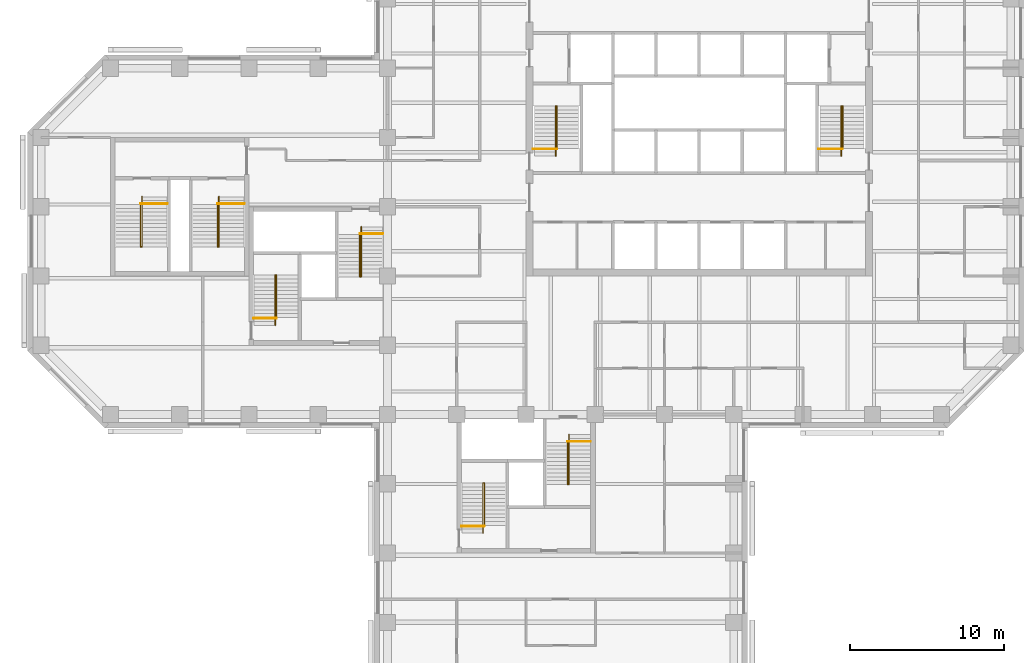
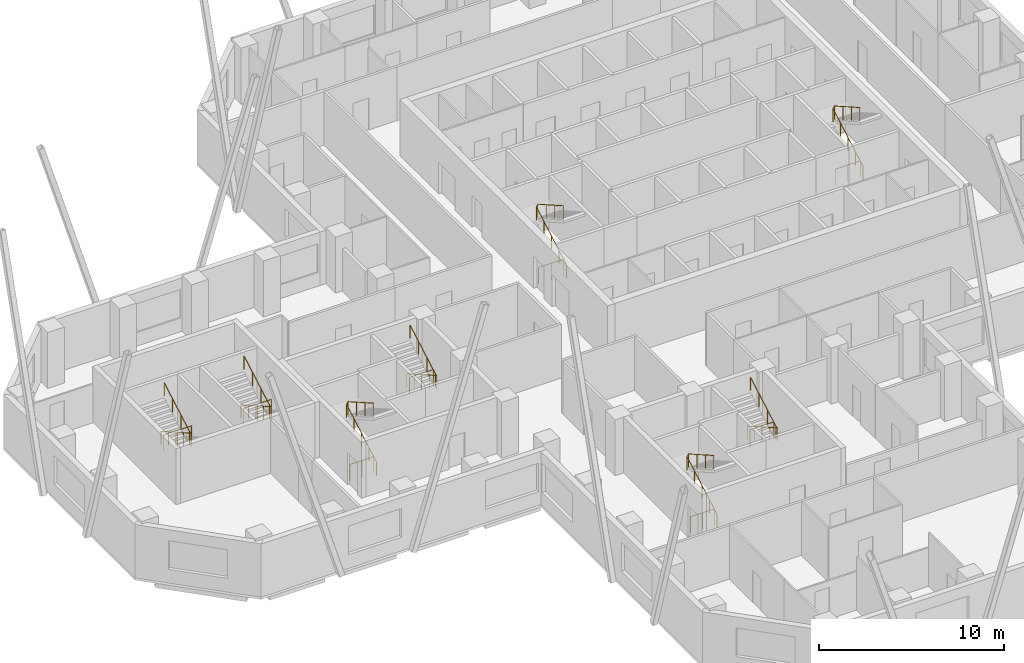
# One storey, part 11 of 11: 16 railings.
"""IFC4 building model written with IfcOpenShell, lengths in metres."""

import ifcopenshell
import ifcopenshell.guid

model = None  # the IFC model being written
_history = None  # IfcOwnerHistory: only IFC2X3 demands one
_inside = {}  # id of a spatial element -> (the spatial element, [elements in it])
_under = {}  # id of a project, library or spatial element -> (it, [spatial elements below it])
_declared = {}  # id of a project -> (the project, [libraries it declares])
_typed = {}  # id of a type object -> (the type object, [elements of that type])
_made_of = {}  # id of a material, layer set ... -> (it, [elements and type objects made of it])


def new_model(schema):
    """Start an empty IFC model of exactly this schema.

    Asked for "IFC4X3", IfcOpenShell would pick the latest addendum, in which some entities
    have other attributes; the version numbers below select the first issue.
    IFC2X3 requires an IfcOwnerHistory on every rooted entity: one is made here for all.
    """
    global model, _history
    if schema == "IFC4X3":
        model = ifcopenshell.file(schema_version=(4, 3, 0, 0))
    else:
        model = ifcopenshell.file(schema=schema)
    _inside.clear()
    _under.clear()
    _declared.clear()
    _typed.clear()
    _made_of.clear()
    _history = None
    if model.schema == "IFC2X3":
        org = make("IfcOrganization", Name="unknown")
        user = make(
            "IfcPersonAndOrganization",
            ThePerson=make("IfcPerson", FamilyName="unknown"),
            TheOrganization=org,
        )
        app = make(
            "IfcApplication",
            ApplicationDeveloper=org,
            Version="unknown",
            ApplicationFullName="unknown",
            ApplicationIdentifier="unknown",
        )
        _history = make(
            "IfcOwnerHistory",
            OwningUser=user,
            OwningApplication=app,
            ChangeAction="ADDED",
            CreationDate=0,
        )
    return model


def make(cls, **values):
    """One entity of the class cls with the attributes given. An attribute that is None is left unset."""
    return model.create_entity(
        cls, **{name: value for name, value in values.items() if value is not None}
    )


def rooted(cls, **values):
    """An entity with a GlobalId (a new one), such as an element, a storey or a relation."""
    return make(cls, GlobalId=ifcopenshell.guid.new(), OwnerHistory=_history, **values)


def si_unit(unit_type, name, prefix=None):
    """IfcSIUnit, for example si_unit("LENGTHUNIT", "METRE", prefix="MILLI")."""
    return make("IfcSIUnit", UnitType=unit_type, Prefix=prefix, Name=name)


def assignment(units):
    """IfcUnitAssignment: the units of a project."""
    return None if units is None else make("IfcUnitAssignment", Units=units)


def point(xyz):
    """IfcCartesianPoint."""
    return None if xyz is None else make("IfcCartesianPoint", Coordinates=xyz)


def direction(xyz):
    """IfcDirection."""
    return None if xyz is None else make("IfcDirection", DirectionRatios=xyz)


def frame(location, z_axis=None, x_axis=None):
    """IfcAxis2Placement3D, a coordinate frame: its origin and axes. An axis left out is left unset."""
    return make(
        "IfcAxis2Placement3D",
        Location=point(location),
        Axis=direction(z_axis),
        RefDirection=direction(x_axis),
    )


def frame_2d(location, x_axis=None):
    """IfcAxis2Placement2D, a coordinate frame in the plane: its origin and x axis."""
    return make(
        "IfcAxis2Placement2D", Location=point(location), RefDirection=direction(x_axis)
    )


def origin():
    """The frame at (0, 0, 0) with its axes left unset."""
    return frame((0.0, 0.0, 0.0))


def origin_2d():
    """The frame at (0, 0) in the plane with its x axis left unset."""
    return frame_2d((0.0, 0.0))


def place(relative_to, where):
    """IfcLocalPlacement: puts the frame where relative to a parent placement (None: the world)."""
    return make(
        "IfcLocalPlacement", PlacementRelTo=relative_to, RelativePlacement=where
    )


def context(
    kind, dimensions, precision=None, world=None, true_north=None, identifier=None
):
    """IfcGeometricRepresentationContext, for example the 3D "Model" context."""
    return make(
        "IfcGeometricRepresentationContext",
        ContextIdentifier=identifier,
        ContextType=kind,
        CoordinateSpaceDimension=dimensions,
        Precision=precision,
        WorldCoordinateSystem=world,
        TrueNorth=true_north,
    )


def subcontext(parent, identifier, kind, view, scale=None):
    """IfcGeometricRepresentationSubContext, for example "Body" below "Model"."""
    return make(
        "IfcGeometricRepresentationSubContext",
        ContextIdentifier=identifier,
        ContextType=kind,
        ParentContext=parent,
        TargetScale=scale,
        TargetView=view,
    )


def project(units=None, contexts=None):
    """IfcProject with its units and contexts."""
    return rooted(
        "IfcProject",
        Name="project",
        RepresentationContexts=contexts,
        UnitsInContext=assignment(units),
    )


def spatial(cls, under=None, at=None, **own):
    """A site, building, storey or space (cls), placed at a placement, below another one or the project."""
    s = rooted(cls, ObjectPlacement=at, **own)
    if under is not None:
        _under.setdefault(under.id(), (under, []))[1].append(s)
    return s


def profile(cls, at=None, kind="AREA", **sizes):
    """A parametric profile (cls). Its sizes go by their IFC names, for example OverallWidth=200.0."""
    return make(cls, ProfileType=kind, Position=at, **sizes)


def circle(**sizes):
    """IfcCircleProfileDef."""
    return profile("IfcCircleProfileDef", **sizes)


def extrude(swept, where, along, depth):
    """IfcExtrudedAreaSolid: the profile swept, set in the frame where, extruded along a direction by depth."""
    return make(
        "IfcExtrudedAreaSolid",
        SweptArea=swept,
        Position=where,
        ExtrudedDirection=direction(along),
        Depth=depth,
    )


def shape(context_of_items, identifier, shape_type, items):
    """IfcShapeRepresentation: the items that make up one representation, for example the "Body"."""
    return make(
        "IfcShapeRepresentation",
        ContextOfItems=context_of_items,
        RepresentationIdentifier=identifier,
        RepresentationType=shape_type,
        Items=items,
    )


def material(Name=None, Category=None):
    """IfcMaterial."""
    return make("IfcMaterial", Name=Name, Category=Category)


def made_of(thing, what):
    """Note that an element or type object is made of a material, layer set ...; save() writes the relation."""
    if what is not None:
        _made_of.setdefault(what.id(), (what, []))[1].append(thing)
    return thing


def type_object(cls, material=None, **own):
    """A type object (cls), such as IfcWallType, which elements share."""
    return made_of(rooted(cls, **own), material)


def element(
    cls,
    number,
    at=None,
    inside=None,
    cuts=None,
    type_object=None,
    material=None,
    context=None,
    identifier="Body",
    shape_type=None,
    held_by="IfcProductDefinitionShape",
    body=None,
    shapes=None,
    **own,
):
    """One element of the class cls, such as IfcWall. Its Tag is "e" and its number.

    at: its placement. inside: the storey or other place that contains it. cuts: it is an
    opening in that element (IfcRelVoidsElement). A single representation is given by context,
    identifier, shape_type and body (its items); several are given by shapes. held_by: the class
    of the entity that holds the representations. save() writes the other relations.
    """
    e = rooted(cls, Tag="e%d" % number, ObjectPlacement=at, **own)
    if body is not None:
        shapes = [shape(context, identifier, shape_type, body)]
    if shapes is not None:
        e.Representation = make(held_by, Representations=shapes)
    if inside is not None:
        _inside.setdefault(inside.id(), (inside, []))[1].append(e)
    if cuts is not None:
        rooted(
            "IfcRelVoidsElement", RelatingBuildingElement=cuts, RelatedOpeningElement=e
        )
    if type_object is not None:
        _typed.setdefault(type_object.id(), (type_object, []))[1].append(e)
    return made_of(e, material)


def aggregate(whole, parts):
    """IfcRelAggregates: a whole, such as a stair, and the parts it consists of."""
    return rooted("IfcRelAggregates", RelatingObject=whole, RelatedObjects=parts)


def save(model, path):
    """Write the relations noted so far, then the file.

    IfcRelAggregates (storeys below a building ...), IfcRelContainedInSpatialStructure (elements
    in a storey), IfcRelDefinesByType, IfcRelAssociatesMaterial and IfcRelDeclares: one each for
    every whole, place, type object, material and project.
    """
    for whole, parts in _under.values():
        aggregate(whole, parts)
    for where, things in _inside.values():
        rooted(
            "IfcRelContainedInSpatialStructure",
            RelatedElements=things,
            RelatingStructure=where,
        )
    for kind, things in _typed.values():
        rooted("IfcRelDefinesByType", RelatedObjects=things, RelatingType=kind)
    for what, things in _made_of.values():
        rooted("IfcRelAssociatesMaterial", RelatedObjects=things, RelatingMaterial=what)
    for by, libraries in _declared.values():
        rooted("IfcRelDeclares", RelatingContext=by, RelatedDefinitions=libraries)
    model.write(path)


model = new_model("IFC4")

# Units and contexts
model_context = context("Model", 3, precision=1e-05, world=origin(), true_north=direction((0.0, 1.0)))
body_context = subcontext(model_context, "Body", "Model", "MODEL_VIEW")
ifc_project = project(units=[si_unit("LENGTHUNIT", "METRE"), si_unit("AREAUNIT", "SQUARE_METRE"), si_unit("VOLUMEUNIT", "CUBIC_METRE"), si_unit("PLANEANGLEUNIT", "RADIAN"), si_unit("MASSUNIT", "GRAM", prefix="KILO")], contexts=[model_context])

# Site, building, storey
site_placement = place(None, origin())
site = spatial("IfcSite", under=ifc_project, at=site_placement, CompositionType="ELEMENT")
building_placement = place(site_placement, origin())
building = spatial("IfcBuilding", under=site, at=building_placement, Name="Quoin Convention Tower", CompositionType="ELEMENT")
storey_placement = place(building_placement, frame((0.0, 0.0, 112.199951171875)))
storey = spatial("IfcBuildingStorey", under=building, at=storey_placement, Name="L29", CompositionType="ELEMENT", Elevation=112.199951171875)

# Railings
ifc_material = material(Name="Stainless steel", Category="steel")
railing_type_1 = type_object("IfcRailingType", Name="Stair handrail 900", PredefinedType="HANDRAIL", material=ifc_material)
railing_1_placement = place(storey_placement, frame((46.929931640625, 57.300048828125, 0.142333984375)))
element("IfcRailing", 1, at=railing_1_placement, inside=storey, type_object=railing_type_1, Name="SD1 handrail 1", PredefinedType="HANDRAIL", context=body_context, shape_type="SweptSolid", body=[
    extrude(circle(Radius=0.02392578125, at=origin_2d()), frame((0.0, 0.0, 0.8759765625), z_axis=(0.0, 0.869053504361, 0.494718108177), x_axis=(-1.0, 0.0, 0.0)), (0.0, 0.0, 1.0), 3.73974609375),
    extrude(circle(Radius=0.02392578125, at=origin_2d()), frame((0.0, 3.25, 2.72607421875), z_axis=(0.53481069233, 0.0, 0.844971906852), x_axis=(0.0, 1.0, 0.0)), (0.0, 0.0, 1.0), 0.16845703125),
    extrude(circle(Radius=0.02392578125, at=origin_2d()), frame((0.090087890625, 3.25, 2.8681640625), z_axis=(0.0, -0.869091777644, 0.494650868828), x_axis=(1.0, 0.0, 0.0)), (0.0, 0.0, 1.0), 3.164306640625),
    extrude(circle(Radius=0.02099609375, at=origin_2d()), origin(), (0.0, 0.0, 1.0), 0.851806640625),
    extrude(circle(Radius=0.02099609375, at=origin_2d()), frame((0.0, 0.8125, 0.46240234375)), (0.0, 0.0, 1.0), 0.851806640625),
    extrude(circle(Radius=0.02099609375, at=origin_2d()), frame((0.0, 1.625, 0.925048828125)), (0.0, 0.0, 1.0), 0.851806640625),
    extrude(circle(Radius=0.02099609375, at=origin_2d()), frame((0.0, 2.4375, 1.3876953125)), (0.0, 0.0, 1.0), 0.851806640625),
    extrude(circle(Radius=0.02099609375, at=origin_2d()), frame((0.0, 3.25, 1.85009765625)), (0.0, 0.0, 1.0), 0.851806640625),
    extrude(circle(Radius=0.02099609375, at=origin_2d()), frame((0.090087890625, 3.25, 1.992431640625)), (0.0, 0.0, 1.0), 0.851806640625),
    extrude(circle(Radius=0.02099609375, at=origin_2d()), frame((0.090087890625, 2.333251953125, 2.51416015625)), (0.0, 0.0, 1.0), 0.851806640625),
    extrude(circle(Radius=0.02099609375, at=origin_2d()), frame((0.090087890625, 1.416748046875, 3.035888671875)), (0.0, 0.0, 1.0), 0.851806640625),
    extrude(circle(Radius=0.02099609375, at=origin_2d()), frame((0.090087890625, 0.5, 3.5576171875)), (0.0, 0.0, 1.0), 0.851806640625),
])
railing_2_placement = place(storey_placement, frame((65.47998046875, 57.300048828125, 0.142333984375)))
element("IfcRailing", 2, at=railing_2_placement, inside=storey, type_object=railing_type_1, Name="SD2 handrail 1", PredefinedType="HANDRAIL", context=body_context, shape_type="SweptSolid", body=[
    extrude(circle(Radius=0.02392578125, at=origin_2d()), frame((0.0, 0.0, 0.8759765625), z_axis=(0.0, 0.869053504361, 0.494718108177), x_axis=(-1.0, 0.0, 0.0)), (0.0, 0.0, 1.0), 3.73974609375),
    extrude(circle(Radius=0.02392578125, at=origin_2d()), frame((0.0, 3.25, 2.72607421875), z_axis=(0.53481069233, 0.0, 0.844971906852), x_axis=(0.0, 1.0, 0.0)), (0.0, 0.0, 1.0), 0.16845703125),
    extrude(circle(Radius=0.02392578125, at=origin_2d()), frame((0.090087890625, 3.25, 2.8681640625), z_axis=(0.0, -0.869091777644, 0.494650868828), x_axis=(1.0, 0.0, 0.0)), (0.0, 0.0, 1.0), 3.164306640625),
    extrude(circle(Radius=0.02099609375, at=origin_2d()), origin(), (0.0, 0.0, 1.0), 0.851806640625),
    extrude(circle(Radius=0.02099609375, at=origin_2d()), frame((0.0, 0.8125, 0.46240234375)), (0.0, 0.0, 1.0), 0.851806640625),
    extrude(circle(Radius=0.02099609375, at=origin_2d()), frame((0.0, 1.625, 0.925048828125)), (0.0, 0.0, 1.0), 0.851806640625),
    extrude(circle(Radius=0.02099609375, at=origin_2d()), frame((0.0, 2.4375, 1.3876953125)), (0.0, 0.0, 1.0), 0.851806640625),
    extrude(circle(Radius=0.02099609375, at=origin_2d()), frame((0.0, 3.25, 1.85009765625)), (0.0, 0.0, 1.0), 0.851806640625),
    extrude(circle(Radius=0.02099609375, at=origin_2d()), frame((0.090087890625, 3.25, 1.992431640625)), (0.0, 0.0, 1.0), 0.851806640625),
    extrude(circle(Radius=0.02099609375, at=origin_2d()), frame((0.090087890625, 2.333251953125, 2.51416015625)), (0.0, 0.0, 1.0), 0.851806640625),
    extrude(circle(Radius=0.02099609375, at=origin_2d()), frame((0.090087890625, 1.416748046875, 3.035888671875)), (0.0, 0.0, 1.0), 0.851806640625),
    extrude(circle(Radius=0.02099609375, at=origin_2d()), frame((0.090087890625, 0.5, 3.5576171875)), (0.0, 0.0, 1.0), 0.851806640625),
])
railing_3_placement = place(storey_placement, frame((28.705078125, 46.300048828125, 0.142333984375)))
element("IfcRailing", 3, at=railing_3_placement, inside=storey, type_object=railing_type_1, Name="SD3 handrail 1", PredefinedType="HANDRAIL", context=body_context, shape_type="SweptSolid", body=[
    extrude(circle(Radius=0.02392578125, at=origin_2d()), frame((0.0, 0.0, 0.8759765625), z_axis=(0.0, 0.869053504361, 0.494718108177), x_axis=(-1.0, 0.0, 0.0)), (0.0, 0.0, 1.0), 3.73974609375),
    extrude(circle(Radius=0.02392578125, at=origin_2d()), frame((0.0, 3.25, 2.72607421875), z_axis=(0.533774684331, 0.0, 0.845626741753), x_axis=(0.0, 1.0, 0.0)), (0.0, 0.0, 1.0), 0.168212890625),
    extrude(circle(Radius=0.02392578125, at=origin_2d()), frame((0.08984375, 3.25, 2.8681640625), z_axis=(0.0, -0.869091777644, 0.494650868828), x_axis=(1.0, 0.0, 0.0)), (0.0, 0.0, 1.0), 3.164306640625),
    extrude(circle(Radius=0.02099609375, at=origin_2d()), origin(), (0.0, 0.0, 1.0), 0.851806640625),
    extrude(circle(Radius=0.02099609375, at=origin_2d()), frame((0.0, 0.8125, 0.46240234375)), (0.0, 0.0, 1.0), 0.851806640625),
    extrude(circle(Radius=0.02099609375, at=origin_2d()), frame((0.0, 1.625, 0.925048828125)), (0.0, 0.0, 1.0), 0.851806640625),
    extrude(circle(Radius=0.02099609375, at=origin_2d()), frame((0.0, 2.4375, 1.3876953125)), (0.0, 0.0, 1.0), 0.851806640625),
    extrude(circle(Radius=0.02099609375, at=origin_2d()), frame((0.0, 3.25, 1.85009765625)), (0.0, 0.0, 1.0), 0.851806640625),
    extrude(circle(Radius=0.02099609375, at=origin_2d()), frame((0.08984375, 3.25, 1.992431640625)), (0.0, 0.0, 1.0), 0.851806640625),
    extrude(circle(Radius=0.02099609375, at=origin_2d()), frame((0.08984375, 2.333251953125, 2.51416015625)), (0.0, 0.0, 1.0), 0.851806640625),
    extrude(circle(Radius=0.02099609375, at=origin_2d()), frame((0.08984375, 1.416748046875, 3.035888671875)), (0.0, 0.0, 1.0), 0.851806640625),
    extrude(circle(Radius=0.02099609375, at=origin_2d()), frame((0.08984375, 0.5, 3.5576171875)), (0.0, 0.0, 1.0), 0.851806640625),
])
railing_4_placement = place(storey_placement, frame((34.294921875, 52.699951171875, 0.142333984375)))
element("IfcRailing", 4, at=railing_4_placement, inside=storey, type_object=railing_type_1, Name="SD4 handrail 1", PredefinedType="HANDRAIL", context=body_context, shape_type="SweptSolid", body=[
    extrude(circle(Radius=0.02392578125, at=origin_2d()), frame((0.0, 0.0, 0.8759765625), z_axis=(0.0, -0.869053504361, 0.494718108177), x_axis=(1.0, 0.0, 0.0)), (0.0, 0.0, 1.0), 3.73974609375),
    extrude(circle(Radius=0.02392578125, at=origin_2d()), frame((0.0, -3.25, 2.72607421875), z_axis=(-0.533774684331, 0.0, 0.845626741753), x_axis=(0.0, -1.0, 0.0)), (0.0, 0.0, 1.0), 0.168212890625),
    extrude(circle(Radius=0.02392578125, at=origin_2d()), frame((-0.08984375, -3.25, 2.8681640625), z_axis=(0.0, 0.869091777644, 0.494650868828), x_axis=(-1.0, 0.0, 0.0)), (0.0, 0.0, 1.0), 3.164306640625),
    extrude(circle(Radius=0.02099609375, at=origin_2d()), origin(), (0.0, 0.0, 1.0), 0.851806640625),
    extrude(circle(Radius=0.02099609375, at=origin_2d()), frame((0.0, -0.8125, 0.46240234375)), (0.0, 0.0, 1.0), 0.851806640625),
    extrude(circle(Radius=0.02099609375, at=origin_2d()), frame((0.0, -1.625, 0.925048828125)), (0.0, 0.0, 1.0), 0.851806640625),
    extrude(circle(Radius=0.02099609375, at=origin_2d()), frame((0.0, -2.4375, 1.3876953125)), (0.0, 0.0, 1.0), 0.851806640625),
    extrude(circle(Radius=0.02099609375, at=origin_2d()), frame((0.0, -3.25, 1.85009765625)), (0.0, 0.0, 1.0), 0.851806640625),
    extrude(circle(Radius=0.02099609375, at=origin_2d()), frame((-0.08984375, -3.25, 1.992431640625)), (0.0, 0.0, 1.0), 0.851806640625),
    extrude(circle(Radius=0.02099609375, at=origin_2d()), frame((-0.08984375, -2.333251953125, 2.51416015625)), (0.0, 0.0, 1.0), 0.851806640625),
    extrude(circle(Radius=0.02099609375, at=origin_2d()), frame((-0.08984375, -1.416748046875, 3.035888671875)), (0.0, 0.0, 1.0), 0.851806640625),
    extrude(circle(Radius=0.02099609375, at=origin_2d()), frame((-0.08984375, -0.5, 3.5576171875)), (0.0, 0.0, 1.0), 0.851806640625),
])
railing_5_placement = place(storey_placement, frame((42.205078125, 32.800048828125, 0.142333984375)))
element("IfcRailing", 5, at=railing_5_placement, inside=storey, type_object=railing_type_1, Name="SD5 handrail 1", PredefinedType="HANDRAIL", context=body_context, shape_type="SweptSolid", body=[
    extrude(circle(Radius=0.02392578125, at=origin_2d()), frame((0.0, 0.0, 0.8759765625), z_axis=(0.0, 0.869053504361, 0.494718108177), x_axis=(-1.0, 0.0, 0.0)), (0.0, 0.0, 1.0), 3.73974609375),
    extrude(circle(Radius=0.02392578125, at=origin_2d()), frame((0.0, 3.25, 2.72607421875), z_axis=(0.533774684331, 0.0, 0.845626741753), x_axis=(0.0, 1.0, 0.0)), (0.0, 0.0, 1.0), 0.168212890625),
    extrude(circle(Radius=0.02392578125, at=origin_2d()), frame((0.08984375, 3.25, 2.8681640625), z_axis=(0.0, -0.869091777644, 0.494650868828), x_axis=(1.0, 0.0, 0.0)), (0.0, 0.0, 1.0), 3.164306640625),
    extrude(circle(Radius=0.02099609375, at=origin_2d()), origin(), (0.0, 0.0, 1.0), 0.851806640625),
    extrude(circle(Radius=0.02099609375, at=origin_2d()), frame((0.0, 0.8125, 0.46240234375)), (0.0, 0.0, 1.0), 0.851806640625),
    extrude(circle(Radius=0.02099609375, at=origin_2d()), frame((0.0, 1.625, 0.925048828125)), (0.0, 0.0, 1.0), 0.851806640625),
    extrude(circle(Radius=0.02099609375, at=origin_2d()), frame((0.0, 2.4375, 1.3876953125)), (0.0, 0.0, 1.0), 0.851806640625),
    extrude(circle(Radius=0.02099609375, at=origin_2d()), frame((0.0, 3.25, 1.85009765625)), (0.0, 0.0, 1.0), 0.851806640625),
    extrude(circle(Radius=0.02099609375, at=origin_2d()), frame((0.08984375, 3.25, 1.992431640625)), (0.0, 0.0, 1.0), 0.851806640625),
    extrude(circle(Radius=0.02099609375, at=origin_2d()), frame((0.08984375, 2.333251953125, 2.51416015625)), (0.0, 0.0, 1.0), 0.851806640625),
    extrude(circle(Radius=0.02099609375, at=origin_2d()), frame((0.08984375, 1.416748046875, 3.035888671875)), (0.0, 0.0, 1.0), 0.851806640625),
    extrude(circle(Radius=0.02099609375, at=origin_2d()), frame((0.08984375, 0.5, 3.5576171875)), (0.0, 0.0, 1.0), 0.851806640625),
])
railing_6_placement = place(storey_placement, frame((47.794921875, 39.199951171875, 0.142333984375)))
element("IfcRailing", 6, at=railing_6_placement, inside=storey, type_object=railing_type_1, Name="SD6 handrail 1", PredefinedType="HANDRAIL", context=body_context, shape_type="SweptSolid", body=[
    extrude(circle(Radius=0.02392578125, at=origin_2d()), frame((0.0, 0.0, 0.8759765625), z_axis=(0.0, -0.869053504361, 0.494718108177), x_axis=(1.0, 0.0, 0.0)), (0.0, 0.0, 1.0), 3.73974609375),
    extrude(circle(Radius=0.02392578125, at=origin_2d()), frame((0.0, -3.25, 2.72607421875), z_axis=(-0.533774684331, 0.0, 0.845626741753), x_axis=(0.0, -1.0, 0.0)), (0.0, 0.0, 1.0), 0.168212890625),
    extrude(circle(Radius=0.02392578125, at=origin_2d()), frame((-0.08984375, -3.25, 2.8681640625), z_axis=(0.0, 0.869091777644, 0.494650868828), x_axis=(-1.0, 0.0, 0.0)), (0.0, 0.0, 1.0), 3.164306640625),
    extrude(circle(Radius=0.02099609375, at=origin_2d()), origin(), (0.0, 0.0, 1.0), 0.851806640625),
    extrude(circle(Radius=0.02099609375, at=origin_2d()), frame((0.0, -0.8125, 0.46240234375)), (0.0, 0.0, 1.0), 0.851806640625),
    extrude(circle(Radius=0.02099609375, at=origin_2d()), frame((0.0, -1.625, 0.925048828125)), (0.0, 0.0, 1.0), 0.851806640625),
    extrude(circle(Radius=0.02099609375, at=origin_2d()), frame((0.0, -2.4375, 1.3876953125)), (0.0, 0.0, 1.0), 0.851806640625),
    extrude(circle(Radius=0.02099609375, at=origin_2d()), frame((0.0, -3.25, 1.85009765625)), (0.0, 0.0, 1.0), 0.851806640625),
    extrude(circle(Radius=0.02099609375, at=origin_2d()), frame((-0.08984375, -3.25, 1.992431640625)), (0.0, 0.0, 1.0), 0.851806640625),
    extrude(circle(Radius=0.02099609375, at=origin_2d()), frame((-0.08984375, -2.333251953125, 2.51416015625)), (0.0, 0.0, 1.0), 0.851806640625),
    extrude(circle(Radius=0.02099609375, at=origin_2d()), frame((-0.08984375, -1.416748046875, 3.035888671875)), (0.0, 0.0, 1.0), 0.851806640625),
    extrude(circle(Radius=0.02099609375, at=origin_2d()), frame((-0.08984375, -0.5, 3.5576171875)), (0.0, 0.0, 1.0), 0.851806640625),
])
railing_7_placement = place(storey_placement, frame((20.044921875, 54.64990234375, 0.142333984375)))
element("IfcRailing", 7, at=railing_7_placement, inside=storey, type_object=railing_type_1, Name="SD11 handrail 1", PredefinedType="HANDRAIL", context=body_context, shape_type="SweptSolid", body=[
    extrude(circle(Radius=0.02392578125, at=origin_2d()), frame((0.0, 0.0, 0.8759765625), z_axis=(0.0, -0.869053504361, 0.494718108177), x_axis=(1.0, 0.0, 0.0)), (0.0, 0.0, 1.0), 3.73974609375),
    extrude(circle(Radius=0.02392578125, at=origin_2d()), frame((0.0, -3.25, 2.72607421875), z_axis=(-0.533774684331, 0.0, 0.845626741753), x_axis=(0.0, -1.0, 0.0)), (0.0, 0.0, 1.0), 0.168212890625),
    extrude(circle(Radius=0.02392578125, at=origin_2d()), frame((-0.08984375, -3.25, 2.8681640625), z_axis=(0.0, 0.869091777644, 0.494650868828), x_axis=(-1.0, 0.0, 0.0)), (0.0, 0.0, 1.0), 3.164306640625),
    extrude(circle(Radius=0.02099609375, at=origin_2d()), origin(), (0.0, 0.0, 1.0), 0.851806640625),
    extrude(circle(Radius=0.02099609375, at=origin_2d()), frame((0.0, -0.8125, 0.46240234375)), (0.0, 0.0, 1.0), 0.851806640625),
    extrude(circle(Radius=0.02099609375, at=origin_2d()), frame((0.0, -1.625, 0.925048828125)), (0.0, 0.0, 1.0), 0.851806640625),
    extrude(circle(Radius=0.02099609375, at=origin_2d()), frame((0.0, -2.4375, 1.3876953125)), (0.0, 0.0, 1.0), 0.851806640625),
    extrude(circle(Radius=0.02099609375, at=origin_2d()), frame((0.0, -3.25, 1.85009765625)), (0.0, 0.0, 1.0), 0.851806640625),
    extrude(circle(Radius=0.02099609375, at=origin_2d()), frame((-0.08984375, -3.25, 1.992431640625)), (0.0, 0.0, 1.0), 0.851806640625),
    extrude(circle(Radius=0.02099609375, at=origin_2d()), frame((-0.08984375, -2.333251953125, 2.51416015625)), (0.0, 0.0, 1.0), 0.851806640625),
    extrude(circle(Radius=0.02099609375, at=origin_2d()), frame((-0.08984375, -1.416748046875, 3.035888671875)), (0.0, 0.0, 1.0), 0.851806640625),
    extrude(circle(Radius=0.02099609375, at=origin_2d()), frame((-0.08984375, -0.5, 3.5576171875)), (0.0, 0.0, 1.0), 0.851806640625),
])
railing_8_placement = place(storey_placement, frame((25.044921875, 54.64990234375, 0.142333984375)))
element("IfcRailing", 8, at=railing_8_placement, inside=storey, type_object=railing_type_1, Name="SD12 handrail 1", PredefinedType="HANDRAIL", context=body_context, shape_type="SweptSolid", body=[
    extrude(circle(Radius=0.02392578125, at=origin_2d()), frame((0.0, 0.0, 0.8759765625), z_axis=(0.0, -0.869053504361, 0.494718108177), x_axis=(1.0, 0.0, 0.0)), (0.0, 0.0, 1.0), 3.73974609375),
    extrude(circle(Radius=0.02392578125, at=origin_2d()), frame((0.0, -3.25, 2.72607421875), z_axis=(-0.533774684331, 0.0, 0.845626741753), x_axis=(0.0, -1.0, 0.0)), (0.0, 0.0, 1.0), 0.168212890625),
    extrude(circle(Radius=0.02392578125, at=origin_2d()), frame((-0.08984375, -3.25, 2.8681640625), z_axis=(0.0, 0.869091777644, 0.494650868828), x_axis=(-1.0, 0.0, 0.0)), (0.0, 0.0, 1.0), 3.164306640625),
    extrude(circle(Radius=0.02099609375, at=origin_2d()), origin(), (0.0, 0.0, 1.0), 0.851806640625),
    extrude(circle(Radius=0.02099609375, at=origin_2d()), frame((0.0, -0.8125, 0.46240234375)), (0.0, 0.0, 1.0), 0.851806640625),
    extrude(circle(Radius=0.02099609375, at=origin_2d()), frame((0.0, -1.625, 0.925048828125)), (0.0, 0.0, 1.0), 0.851806640625),
    extrude(circle(Radius=0.02099609375, at=origin_2d()), frame((0.0, -2.4375, 1.3876953125)), (0.0, 0.0, 1.0), 0.851806640625),
    extrude(circle(Radius=0.02099609375, at=origin_2d()), frame((0.0, -3.25, 1.85009765625)), (0.0, 0.0, 1.0), 0.851806640625),
    extrude(circle(Radius=0.02099609375, at=origin_2d()), frame((-0.08984375, -3.25, 1.992431640625)), (0.0, 0.0, 1.0), 0.851806640625),
    extrude(circle(Radius=0.02099609375, at=origin_2d()), frame((-0.08984375, -2.333251953125, 2.51416015625)), (0.0, 0.0, 1.0), 0.851806640625),
    extrude(circle(Radius=0.02099609375, at=origin_2d()), frame((-0.08984375, -1.416748046875, 3.035888671875)), (0.0, 0.0, 1.0), 0.851806640625),
    extrude(circle(Radius=0.02099609375, at=origin_2d()), frame((-0.08984375, -0.5, 3.5576171875)), (0.0, 0.0, 1.0), 0.851806640625),
])
railing_type_2 = type_object("IfcRailingType", Name="Stair top guard 1100", PredefinedType="GUARDRAIL", material=ifc_material)
for number, where, name in (
    (9, (45.449951171875, 57.75, 0.0), "SD1 top guard"),
    (10, (64.0, 57.75, 0.0), "SD2 top guard"),
):
    element("IfcRailing", number, at=place(storey_placement, frame(where)), inside=storey, type_object=railing_type_2, Name=name, PredefinedType="GUARDRAIL", context=body_context, shape_type="SweptSolid", body=[
        extrude(circle(Radius=0.02392578125, at=origin_2d()), frame((0.0, 0.0, 1.076171875), z_axis=(1.0, 0.0, 0.0), x_axis=(0.0, 1.0, 0.0)), (0.0, 0.0, 1.0), 1.570068359375),
        extrude(circle(Radius=0.02099609375, at=origin_2d()), origin(), (0.0, 0.0, 1.0), 1.052001953125),
        extrude(circle(Radius=0.02099609375, at=origin_2d()), frame((0.78515625, 0.0, 0.0)), (0.0, 0.0, 1.0), 1.052001953125),
        extrude(circle(Radius=0.02099609375, at=origin_2d()), frame((1.570068359375, 0.0, 0.0)), (0.0, 0.0, 1.0), 1.052001953125),
    ])
railing_9_placement = place(storey_placement, frame((27.300048828125, 46.75, 0.0)))
element("IfcRailing", 11, at=railing_9_placement, inside=storey, type_object=railing_type_2, Name="SD3 top guard", PredefinedType="GUARDRAIL", context=body_context, shape_type="SweptSolid", body=[
    extrude(circle(Radius=0.02392578125, at=origin_2d()), frame((0.0, 0.0, 1.076171875), z_axis=(1.0, 0.0, 0.0), x_axis=(0.0, 1.0, 0.0)), (0.0, 0.0, 1.0), 1.494873046875),
    extrude(circle(Radius=0.02099609375, at=origin_2d()), origin(), (0.0, 0.0, 1.0), 1.052001953125),
    extrude(circle(Radius=0.02099609375, at=origin_2d()), frame((0.74755859375, 0.0, 0.0)), (0.0, 0.0, 1.0), 1.052001953125),
    extrude(circle(Radius=0.02099609375, at=origin_2d()), frame((1.494873046875, 0.0, 0.0)), (0.0, 0.0, 1.0), 1.052001953125),
])
railing_10_placement = place(storey_placement, frame((35.699951171875, 52.25, 0.0)))
element("IfcRailing", 12, at=railing_10_placement, inside=storey, type_object=railing_type_2, Name="SD4 top guard", PredefinedType="GUARDRAIL", context=body_context, shape_type="SweptSolid", body=[
    extrude(circle(Radius=0.02392578125, at=origin_2d()), frame((0.0, 0.0, 1.076171875), z_axis=(-1.0, 0.0, 0.0), x_axis=(0.0, -1.0, 0.0)), (0.0, 0.0, 1.0), 1.494873046875),
    extrude(circle(Radius=0.02099609375, at=origin_2d()), origin(), (0.0, 0.0, 1.0), 1.052001953125),
    extrude(circle(Radius=0.02099609375, at=origin_2d()), frame((-0.74755859375, 0.0, 0.0)), (0.0, 0.0, 1.0), 1.052001953125),
    extrude(circle(Radius=0.02099609375, at=origin_2d()), frame((-1.494873046875, 0.0, 0.0)), (0.0, 0.0, 1.0), 1.052001953125),
])
railing_11_placement = place(storey_placement, frame((40.800048828125, 33.25, 0.0)))
element("IfcRailing", 13, at=railing_11_placement, inside=storey, type_object=railing_type_2, Name="SD5 top guard", PredefinedType="GUARDRAIL", context=body_context, shape_type="SweptSolid", body=[
    extrude(circle(Radius=0.02392578125, at=origin_2d()), frame((0.0, 0.0, 1.076171875), z_axis=(1.0, 0.0, 0.0), x_axis=(0.0, 1.0, 0.0)), (0.0, 0.0, 1.0), 1.494873046875),
    extrude(circle(Radius=0.02099609375, at=origin_2d()), origin(), (0.0, 0.0, 1.0), 1.052001953125),
    extrude(circle(Radius=0.02099609375, at=origin_2d()), frame((0.74755859375, 0.0, 0.0)), (0.0, 0.0, 1.0), 1.052001953125),
    extrude(circle(Radius=0.02099609375, at=origin_2d()), frame((1.494873046875, 0.0, 0.0)), (0.0, 0.0, 1.0), 1.052001953125),
])
railing_12_placement = place(storey_placement, frame((49.199951171875, 38.75, 0.0)))
element("IfcRailing", 14, at=railing_12_placement, inside=storey, type_object=railing_type_2, Name="SD6 top guard", PredefinedType="GUARDRAIL", context=body_context, shape_type="SweptSolid", body=[
    extrude(circle(Radius=0.02392578125, at=origin_2d()), frame((0.0, 0.0, 1.076171875), z_axis=(-1.0, 0.0, 0.0), x_axis=(0.0, -1.0, 0.0)), (0.0, 0.0, 1.0), 1.494873046875),
    extrude(circle(Radius=0.02099609375, at=origin_2d()), origin(), (0.0, 0.0, 1.0), 1.052001953125),
    extrude(circle(Radius=0.02099609375, at=origin_2d()), frame((-0.74755859375, 0.0, 0.0)), (0.0, 0.0, 1.0), 1.052001953125),
    extrude(circle(Radius=0.02099609375, at=origin_2d()), frame((-1.494873046875, 0.0, 0.0)), (0.0, 0.0, 1.0), 1.052001953125),
])
for number, where, name in (
    (15, (21.699951171875, 54.199951171875, 0.0), "SD11 top guard"),
    (16, (26.699951171875, 54.199951171875, 0.0), "SD12 top guard"),
):
    element("IfcRailing", number, at=place(storey_placement, frame(where)), inside=storey, type_object=railing_type_2, Name=name, PredefinedType="GUARDRAIL", context=body_context, shape_type="SweptSolid", body=[
        extrude(circle(Radius=0.02392578125, at=origin_2d()), frame((0.0, 0.0, 1.076171875), z_axis=(-1.0, 0.0, 0.0), x_axis=(0.0, -1.0, 0.0)), (0.0, 0.0, 1.0), 1.744873046875),
        extrude(circle(Radius=0.02099609375, at=origin_2d()), origin(), (0.0, 0.0, 1.0), 1.052001953125),
        extrude(circle(Radius=0.02099609375, at=origin_2d()), frame((-0.87255859375, 0.0, 0.0)), (0.0, 0.0, 1.0), 1.052001953125),
        extrude(circle(Radius=0.02099609375, at=origin_2d()), frame((-1.744873046875, 0.0, 0.0)), (0.0, 0.0, 1.0), 1.052001953125),
    ])

save(model, "model.ifc")
